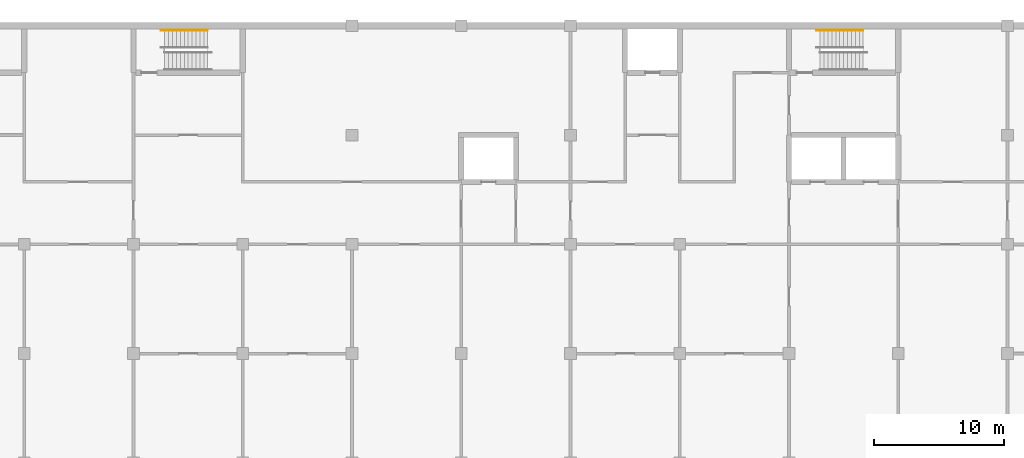
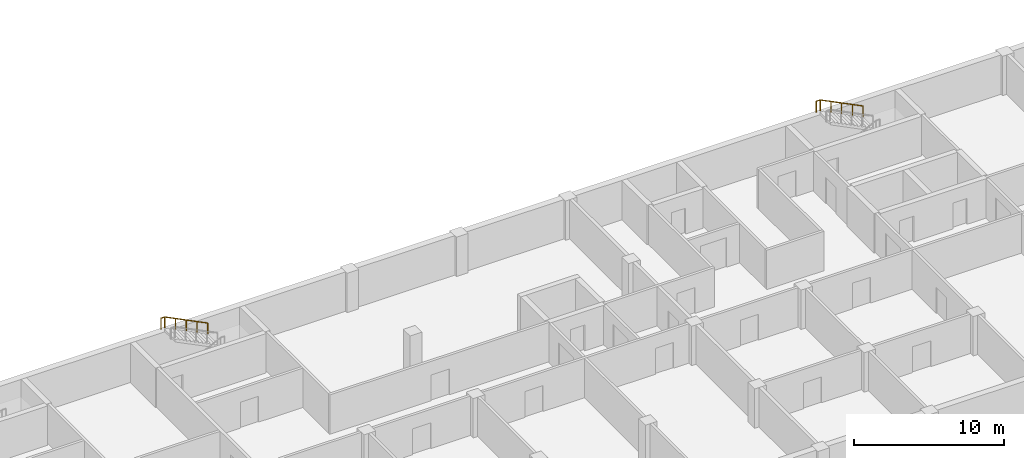
# One storey, part 11 of 12: 2 railings.
"""IFC4 building model written with IfcOpenShell, lengths in metres."""

from ifc_helpers import new_model, si_unit, direction, frame, origin, origin_2d, place, context, subcontext, project, spatial, circle, extrude, material, type_object, element, save


model = new_model("IFC4")

# Units and contexts
model_context = context("Model", 3, precision=1e-05, world=origin(), true_north=direction((0.0, 1.0)))
body_context = subcontext(model_context, "Body", "Model", "MODEL_VIEW")
ifc_project = project(units=[si_unit("LENGTHUNIT", "METRE"), si_unit("AREAUNIT", "SQUARE_METRE"), si_unit("VOLUMEUNIT", "CUBIC_METRE"), si_unit("PLANEANGLEUNIT", "RADIAN"), si_unit("MASSUNIT", "GRAM", prefix="KILO")], contexts=[model_context])

# Site, building, storey
site_placement = place(None, origin())
site = spatial("IfcSite", under=ifc_project, at=site_placement, CompositionType="ELEMENT")
building_placement = place(site_placement, origin())
building = spatial("IfcBuilding", under=site, at=building_placement, Name="Yavir Park General Hospital", CompositionType="ELEMENT")
storey_placement = place(building_placement, frame((0.0, 0.0, -11.39990234375)))
storey = spatial("IfcBuildingStorey", under=building, at=storey_placement, Name="B3", CompositionType="ELEMENT", Elevation=-11.39990234375)

# Railings
ifc_material = material(Name="Stainless steel tube 48 mm", Category="steel")
railing_type = type_object("IfcRailingType", Name="Stair handrail, steel tube, 900 mm above the nosings", PredefinedType="HANDRAIL", material=ifc_material)
railing_1_placement = place(storey_placement, frame((72.89990234375, 33.260009765625, 1.949951171875)))
element("IfcRailing", 1, at=railing_1_placement, inside=storey, type_object=railing_type, Name="Handrail BS3 B3 3", PredefinedType="HANDRAIL", context=body_context, shape_type="SweptSolid", body=[
    extrude(circle(Radius=0.02392578125, at=origin_2d()), frame((0.0, 0.0, 0.8759765625), z_axis=(-0.894427191, 0.0, 0.4472135955), x_axis=(0.0, -1.0, 0.0)), (0.0, 0.0, 1.0), 3.689208984375),
    extrude(circle(Radius=0.02392578125, at=origin_2d()), frame((-3.2998046875, 0.0, 2.52587890625), z_axis=(-1.0, 0.0, 0.0), x_axis=(0.0, -1.0, 0.0)), (0.0, 0.0, 1.0), 0.300048828125),
    extrude(circle(Radius=0.02099609375, at=origin_2d()), origin(), (0.0, 0.0, 1.0), 0.851806640625),
    extrude(circle(Radius=0.02099609375, at=origin_2d()), frame((-0.824951171875, 0.0, 0.41259765625)), (0.0, 0.0, 1.0), 0.851806640625),
    extrude(circle(Radius=0.02099609375, at=origin_2d()), frame((-1.64990234375, 0.0, 0.824951171875)), (0.0, 0.0, 1.0), 0.851806640625),
    extrude(circle(Radius=0.02099609375, at=origin_2d()), frame((-2.474853515625, 0.0, 1.2373046875)), (0.0, 0.0, 1.0), 0.851806640625),
    extrude(circle(Radius=0.02099609375, at=origin_2d()), frame((-3.2998046875, 0.0, 1.64990234375)), (0.0, 0.0, 1.0), 0.851806640625),
    extrude(circle(Radius=0.02099609375, at=origin_2d()), frame((-3.599853515625, 0.0, 1.64990234375)), (0.0, 0.0, 1.0), 0.851806640625),
])
railing_2_placement = place(storey_placement, frame((123.300048828125, 33.260009765625, 1.949951171875)))
element("IfcRailing", 2, at=railing_2_placement, inside=storey, type_object=railing_type, Name="Handrail BS4 B3 3", PredefinedType="HANDRAIL", context=body_context, shape_type="SweptSolid", body=[
    extrude(circle(Radius=0.02392578125, at=origin_2d()), frame((0.0, 0.0, 0.8759765625), z_axis=(-0.894440424912, 0.0, 0.447187126696), x_axis=(0.0, -1.0, 0.0)), (0.0, 0.0, 1.0), 3.689453125),
    extrude(circle(Radius=0.02392578125, at=origin_2d()), frame((-3.300048828125, 0.0, 2.52587890625), z_axis=(-1.0, 0.0, 0.0), x_axis=(0.0, -1.0, 0.0)), (0.0, 0.0, 1.0), 0.300048828125),
    extrude(circle(Radius=0.02099609375, at=origin_2d()), origin(), (0.0, 0.0, 1.0), 0.851806640625),
    extrude(circle(Radius=0.02099609375, at=origin_2d()), frame((-0.824951171875, 0.0, 0.41259765625)), (0.0, 0.0, 1.0), 0.851806640625),
    extrude(circle(Radius=0.02099609375, at=origin_2d()), frame((-1.64990234375, 0.0, 0.824951171875)), (0.0, 0.0, 1.0), 0.851806640625),
    extrude(circle(Radius=0.02099609375, at=origin_2d()), frame((-2.47509765625, 0.0, 1.2373046875)), (0.0, 0.0, 1.0), 0.851806640625),
    extrude(circle(Radius=0.02099609375, at=origin_2d()), frame((-3.300048828125, 0.0, 1.64990234375)), (0.0, 0.0, 1.0), 0.851806640625),
    extrude(circle(Radius=0.02099609375, at=origin_2d()), frame((-3.60009765625, 0.0, 1.64990234375)), (0.0, 0.0, 1.0), 0.851806640625),
])

save(model, "model.ifc")
